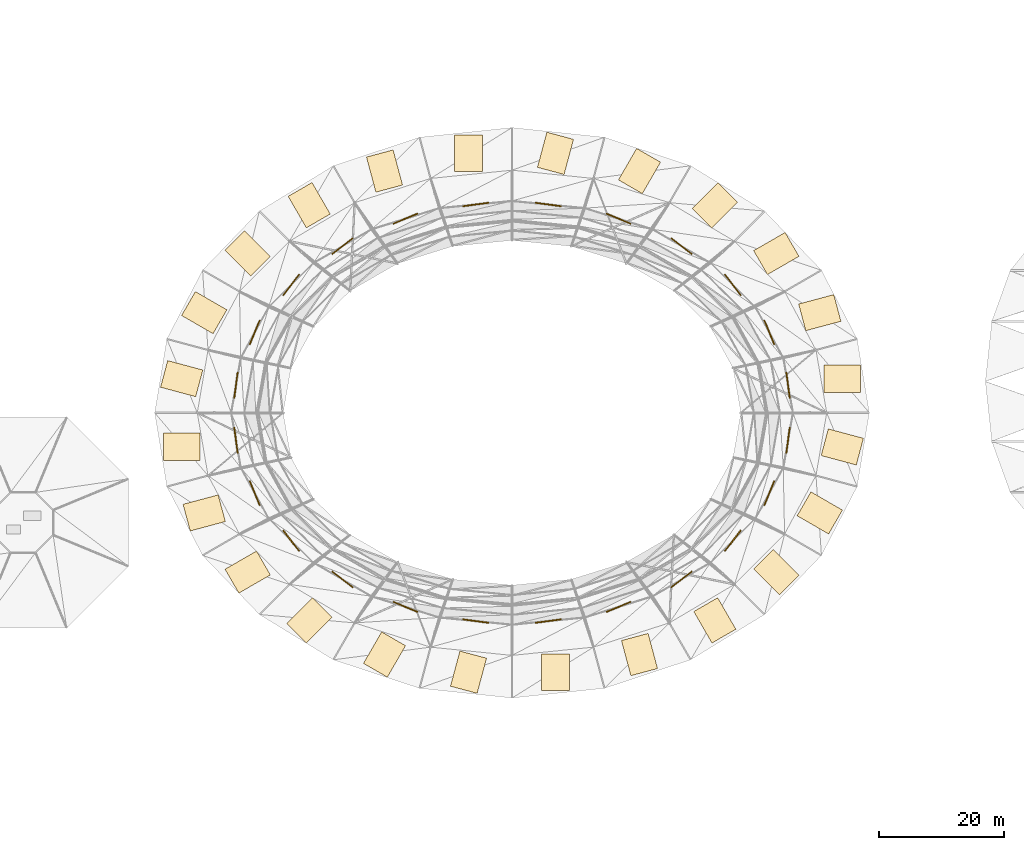
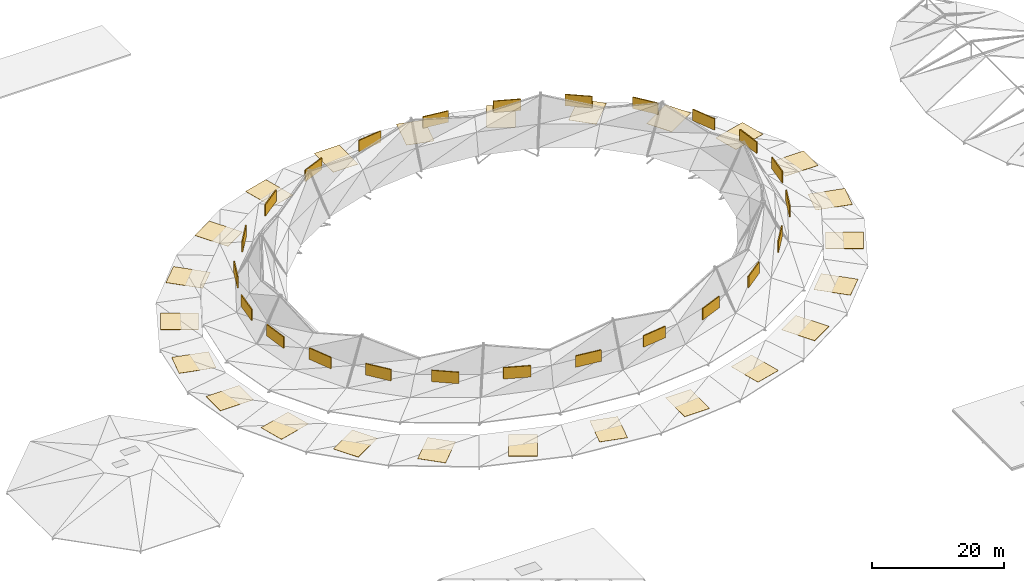
# One storey, part 36 of 36: 24 coverings, 24 shading devices.
"""IFC4 building model written with IfcOpenShell, lengths in metres."""

from ifc_helpers import new_model, si_unit, direction, frame, origin, origin_2d, place, context, subcontext, project, spatial, rectangle, extrude, material, layer, layer_set, type_object, element, save


model = new_model("IFC4")

# Units and contexts
model_context = context("Model", 3, precision=1e-05, world=origin(), true_north=direction((0.0, 1.0)))
body_context = subcontext(model_context, "Body", "Model", "MODEL_VIEW")
ifc_project = project(units=[si_unit("LENGTHUNIT", "METRE"), si_unit("AREAUNIT", "SQUARE_METRE"), si_unit("VOLUMEUNIT", "CUBIC_METRE"), si_unit("PLANEANGLEUNIT", "RADIAN"), si_unit("MASSUNIT", "GRAM", prefix="KILO")], contexts=[model_context])

# Site, building, storey
site_placement = place(None, origin())
site = spatial("IfcSite", under=ifc_project, at=site_placement, CompositionType="ELEMENT")
building_placement = place(site_placement, origin())
building = spatial("IfcBuilding", under=site, at=building_placement, Name="Kildeholm Park Wholesale Market", CompositionType="ELEMENT")
storey_placement = place(building_placement, frame((0.0, 0.0, 17.39990234375)))
storey = spatial("IfcBuildingStorey", under=building, at=storey_placement, Name="Roof", CompositionType="ELEMENT", Elevation=17.39990234375)

# Shading devices
ifc_material_1 = material(Name="Anodised aluminium sunshade louvre", Category="aluminium")
shading_device_type = type_object("IfcShadingDeviceType", Name="Vaulted lantern acoustic sun louvre SH-LV2", PredefinedType="JALOUSIE", material=ifc_material_1)
for number, where, z_axis, x_axis, name in (
    (1, (143.035888671875, 93.8740234375, -0.25), (0.0, 0.0, 1.0), (-0.13052619222, 0.991444861374, 0.0), "Vault lantern acoustic louvre 1 SHD-0001"),
    (2, (140.035888671875, 102.323974609375, -0.25), (0.0, 0.0, 1.0), (-0.382683432365, 0.923879532511, 0.0), "Vault lantern acoustic louvre 2 SHD-0002"),
    (3, (134.238037109375, 109.89990234375, -0.25), (0.0, 0.0, 1.0), (-0.608761429009, 0.793353340291, 0.0), "Vault lantern acoustic louvre 3 SHD-0005"),
    (4, (126.0390625, 116.0859375, -0.25), (0.0, 0.0, 1.0), (-0.793353340291, 0.608761429009, 0.0), "Vault lantern acoustic louvre 4 SHD-0006"),
    (5, (115.998046875, 120.4599609375, -0.25), (0.0, 0.0, 1.0), (-0.923879532511, 0.382683432365, 0.0), "Vault lantern acoustic louvre 5 SHD-0007"),
    (6, (104.797119140625, 122.72412109375, -0.25), (0.0, 0.0, 1.0), (-0.991444861374, 0.13052619222, 0.0), "Vault lantern acoustic louvre 6 SHD-0008"),
    (7, (93.202880859375, 122.72412109375, -0.25), (0.0, 0.0, 1.0), (-0.991444861374, -0.13052619222, 0.0), "Vault lantern acoustic louvre 7 SHD-0009"),
    (8, (82.001953125, 120.4599609375, -0.25), (0.0, 0.0, 1.0), (-0.923879532511, -0.382683432365, 0.0), "Vault lantern acoustic louvre 8 SHD-0010"),
    (9, (71.9609375, 116.0859375, -0.25), (0.0, 0.0, 1.0), (-0.793353340291, -0.608761429009, 0.0), "Vault lantern acoustic louvre 9 SHD-0011"),
    (10, (63.761962890625, 109.89990234375, -0.25), (0.0, 0.0, 1.0), (-0.608761429009, -0.793353340291, 0.0), "Vault lantern acoustic louvre 10 SHD-0012"),
    (11, (57.965087890625, 102.323974609375, -0.25), (0.0, 0.0, 1.0), (-0.382683432365, -0.923879532511, 0.0), "Vault lantern acoustic louvre 11 SHD-0013"),
    (12, (54.962890625, 93.8740234375, -0.25), (0.0, 0.0, 1.0), (-0.13052619222, -0.991444861374, 0.0), "Vault lantern acoustic louvre 12 SHD-0014"),
    (13, (54.962890625, 85.1259765625, -0.25), (0.0, 0.0, 1.0), (0.13052619222, -0.991444861374, 0.0), "Vault lantern acoustic louvre 13 SHD-0015"),
    (14, (57.965087890625, 76.676025390625, -0.25), (0.0, 0.0, 1.0), (0.382683432365, -0.923879532511, 0.0), "Vault lantern acoustic louvre 14 SHD-0016"),
    (15, (63.761962890625, 69.10009765625, -0.25), (0.0, 0.0, 1.0), (0.608761429009, -0.793353340291, 0.0), "Vault lantern acoustic louvre 15 SHD-0019"),
    (16, (71.9609375, 62.9140625, -0.25), (0.0, 0.0, 1.0), (0.793353340291, -0.608761429009, 0.0), "Vault lantern acoustic louvre 16 SHD-0024"),
    (17, (82.001953125, 58.5400390625, -0.25), (0.0, 0.0, 1.0), (0.923879532511, -0.382683432365, 0.0), "Vault lantern acoustic louvre 17 SHD-0029"),
    (18, (93.202880859375, 56.27587890625, -0.25), (0.0, 0.0, 1.0), (0.991444861374, -0.13052619222, 0.0), "Vault lantern acoustic louvre 18 SHD-0034"),
    (19, (104.797119140625, 56.27587890625, -0.25), (0.0, 0.0, 1.0), (0.991444861374, 0.13052619222, 0.0), "Vault lantern acoustic louvre 19 SHD-0039"),
    (20, (115.998046875, 58.5400390625, -0.25), (0.0, 0.0, 1.0), (0.923879532511, 0.382683432365, 0.0), "Vault lantern acoustic louvre 20 SHD-0044"),
    (21, (126.0390625, 62.9140625, -0.25), (0.0, 0.0, 1.0), (0.793353340291, 0.608761429009, 0.0), "Vault lantern acoustic louvre 21 SHD-0049"),
    (22, (134.238037109375, 69.10009765625, -0.25), (0.0, 0.0, 1.0), (0.608761429009, 0.793353340291, 0.0), "Vault lantern acoustic louvre 22 SHD-0052"),
    (23, (140.035888671875, 76.676025390625, -0.25), (0.0, 0.0, 1.0), (0.382683432365, 0.923879532511, 0.0), "Vault lantern acoustic louvre 23 SHD-0053"),
    (24, (143.035888671875, 85.1259765625, -0.25), (0.0, 0.0, 1.0), (0.13052619222, 0.991444861374, 0.0), "Vault lantern acoustic louvre 24 SHD-0054"),
):
    element("IfcShadingDevice", number, at=place(storey_placement, frame(where, z_axis=z_axis, x_axis=x_axis)), inside=storey, type_object=shading_device_type, Name=name, PredefinedType="JALOUSIE", context=body_context, shape_type="SweptSolid", body=[
        extrude(rectangle(XDim=4.199951171875, YDim=0.179931640625, at=origin_2d()), origin(), (0.0, 0.0, 1.0), 2.10009765625),
    ])

# Coverings
ifc_material_2 = material(Name="White broken-tile glazed ceramic mosaic")
ifc_layer_1 = layer(ifc_material_2, 0.0400390625)
ifc_layer_set_1 = layer_set([ifc_layer_1], Name="White broken-tile glazed ceramic mosaic")
covering_type_1 = type_object("IfcCoveringType", Name="White glazed ceramic mosaic roof rim covering CV-RF1", PredefinedType="ROOFING", material=ifc_layer_set_1)
for number, where, z_axis, x_axis, name in (
    (25, (151.68701171875, 94.947998046875, -7.0400390625), (0.0, 0.0, 1.0), (1.0, 0.0, 0.0), "Ceramic mosaic roof rim 1 COV-0001"),
    (26, (141.159912109375, 114.909912109375, -7.0400390625), (0.0, 0.0, 1.0), (0.866025403784, 0.5, 0.0), "Ceramic mosaic roof rim 3 COV-0003"),
    (27, (119.3359375, 128.06201171875, -7.0400390625), (0.0, 0.0, 1.0), (0.5, 0.866025403784, 0.0), "Ceramic mosaic roof rim 5 COV-0005"),
    (28, (92.06396484375, 130.883056640625, -7.0400390625), (0.0, 0.0, 1.0), (0.0, 1.0, 0.0), "Ceramic mosaic roof rim 7 COV-0007"),
    (29, (66.64990234375, 122.614013671875, -7.0400390625), (0.0, 0.0, 1.0), (-0.5, 0.866025403784, 0.0), "Ceramic mosaic roof rim 9 COV-0009"),
    (30, (49.904052734375, 105.472900390625, -7.0400390625), (0.0, 0.0, 1.0), (-0.866025403784, 0.5, 0.0), "Ceramic mosaic roof rim 11 COV-0011"),
    (31, (46.31298828125, 84.052001953125, -7.0400390625), (0.0, 0.0, 1.0), (-1.0, 0.0, 0.0), "Ceramic mosaic roof rim 13 COV-0013"),
    (32, (56.840087890625, 64.091064453125, -7.0400390625), (0.0, 0.0, 1.0), (-0.866025403784, -0.5, 0.0), "Ceramic mosaic roof rim 15 COV-0015"),
    (33, (78.6630859375, 50.93701171875, -7.0400390625), (0.0, 0.0, 1.0), (-0.5, -0.866025403784, 0.0), "Ceramic mosaic roof rim 17 COV-0017"),
    (34, (105.93603515625, 48.116943359375, -7.0400390625), (0.0, 0.0, 1.0), (0.0, -1.0, 0.0), "Ceramic mosaic roof rim 19 COV-0019"),
    (35, (131.35107421875, 56.385986328125, -7.0400390625), (0.0, 0.0, 1.0), (0.5, -0.866025403784, 0.0), "Ceramic mosaic roof rim 21 COV-0021"),
    (36, (148.095947265625, 73.527099609375, -7.0400390625), (0.0, 0.0, 1.0), (0.866025403784, -0.5, 0.0), "Ceramic mosaic roof rim 23 COV-0023"),
):
    element("IfcCovering", number, at=place(storey_placement, frame(where, z_axis=z_axis, x_axis=x_axis)), inside=storey, type_object=covering_type_1, Name=name, PredefinedType="ROOFING", context=body_context, shape_type="SweptSolid", body=[
        extrude(rectangle(XDim=5.800048828125, YDim=4.39990234375, at=origin_2d()), origin(), (0.0, 0.0, 1.0), 0.0400390625),
    ])
ifc_material_3 = material(Name="Pre-weathered titanium-zinc roofing")
ifc_layer_2 = layer(ifc_material_3, 0.02490234375)
ifc_layer_set_2 = layer_set([ifc_layer_2], Name="Pre-weathered titanium-zinc roofing")
covering_type_2 = type_object("IfcCoveringType", Name="Zinc standing-seam roof covering CV-RF2", PredefinedType="ROOFING", material=ifc_layer_set_2)
for number, where, z_axis, x_axis, name in (
    (37, (148.095947265625, 105.472900390625, -7.032470703125), (0.0, 0.0, 1.0), (0.965925826289, 0.258819045103, 0.0), "Ceramic mosaic roof rim 2 COV-0002"),
    (38, (131.35107421875, 122.614013671875, -7.032470703125), (0.0, 0.0, 1.0), (0.707106781187, 0.707106781187, 0.0), "Ceramic mosaic roof rim 4 COV-0004"),
    (39, (105.93603515625, 130.883056640625, -7.032470703125), (0.0, 0.0, 1.0), (0.258819045103, 0.965925826289, 0.0), "Ceramic mosaic roof rim 6 COV-0006"),
    (40, (78.6630859375, 128.06201171875, -7.032470703125), (0.0, 0.0, 1.0), (-0.258819045103, 0.965925826289, 0.0), "Ceramic mosaic roof rim 8 COV-0008"),
    (41, (56.840087890625, 114.909912109375, -7.032470703125), (0.0, 0.0, 1.0), (-0.707106781187, 0.707106781187, 0.0), "Ceramic mosaic roof rim 10 COV-0010"),
    (42, (46.31298828125, 94.947998046875, -7.032470703125), (0.0, 0.0, 1.0), (-0.965925826289, 0.258819045103, 0.0), "Ceramic mosaic roof rim 12 COV-0012"),
    (43, (49.904052734375, 73.527099609375, -7.032470703125), (0.0, 0.0, 1.0), (-0.965925826289, -0.258819045103, 0.0), "Ceramic mosaic roof rim 14 COV-0014"),
    (44, (66.64892578125, 56.385986328125, -7.032470703125), (0.0, 0.0, 1.0), (-0.707106781187, -0.707106781187, 0.0), "Ceramic mosaic roof rim 16 COV-0016"),
    (45, (92.06396484375, 48.116943359375, -7.032470703125), (0.0, 0.0, 1.0), (-0.258819045103, -0.965925826289, 0.0), "Ceramic mosaic roof rim 18 COV-0018"),
    (46, (119.3369140625, 50.93798828125, -7.032470703125), (0.0, 0.0, 1.0), (0.258819045103, -0.965925826289, 0.0), "Ceramic mosaic roof rim 20 COV-0020"),
    (47, (141.159912109375, 64.090087890625, -7.032470703125), (0.0, 0.0, 1.0), (0.707106781187, -0.707106781187, 0.0), "Ceramic mosaic roof rim 22 COV-0022"),
    (48, (151.68701171875, 84.052001953125, -7.032470703125), (0.0, 0.0, 1.0), (0.965925826289, -0.258819045103, 0.0), "Ceramic mosaic roof rim 24 COV-0024"),
):
    element("IfcCovering", number, at=place(storey_placement, frame(where, z_axis=z_axis, x_axis=x_axis)), inside=storey, type_object=covering_type_2, Name=name, PredefinedType="ROOFING", context=body_context, shape_type="SweptSolid", body=[
        extrude(rectangle(XDim=5.800048828125, YDim=4.39990234375, at=origin_2d()), origin(), (0.0, 0.0, 1.0), 0.02490234375),
    ])

save(model, "model.ifc")
